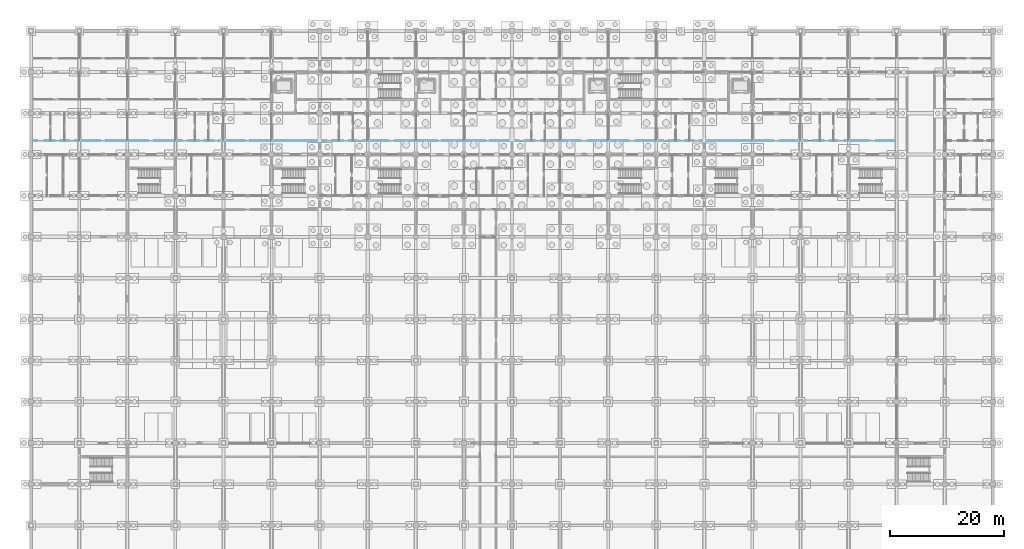
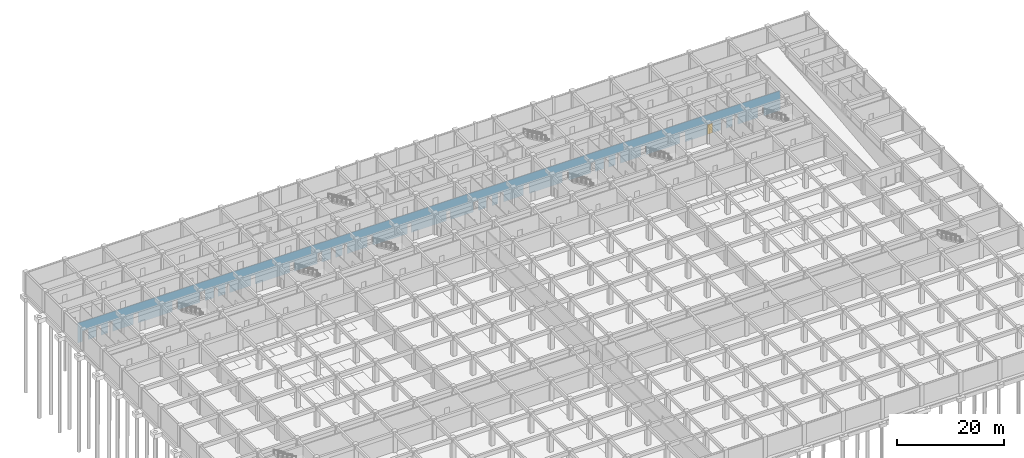
# One storey, part 67 of 85: 1 door, 30 openings, plus 1 element that does not belong to this part.
"""IFC4 building model written with IfcOpenShell, lengths in metres."""

from ifc_helpers import new_model, si_unit, direction, frame, frame_2d, origin, place, context, subcontext, project, spatial, rectangle, extrude, material, layer, layer_set, type_object, element, fill, save


model = new_model("IFC4")

# Units and contexts
model_context = context("Model", 3, precision=1e-05, world=origin(), true_north=direction((0.0, 1.0)))
body_context = subcontext(model_context, "Body", "Model", "MODEL_VIEW")
ifc_project = project(units=[si_unit("LENGTHUNIT", "METRE"), si_unit("AREAUNIT", "SQUARE_METRE"), si_unit("VOLUMEUNIT", "CUBIC_METRE"), si_unit("PLANEANGLEUNIT", "RADIAN"), si_unit("MASSUNIT", "GRAM", prefix="KILO")], contexts=[model_context])

# Site, building, storey
site_placement = place(None, origin())
site = spatial("IfcSite", under=ifc_project, at=site_placement, CompositionType="ELEMENT")
building_placement = place(site_placement, origin())
building = spatial("IfcBuilding", under=site, at=building_placement, Name="Chengyuan Square Courthouse", CompositionType="ELEMENT")
storey_placement = place(building_placement, frame((0.0, 0.0, -10.199951171875)))
storey = spatial("IfcBuildingStorey", under=building, at=storey_placement, Name="B02", CompositionType="ELEMENT", Elevation=-10.199951171875)

# Wall, openings, door
ifc_material_1 = material(Name="Gypsum Plasterboard Acoustic Stud Partition")
ifc_layer = layer(ifc_material_1, 0.10009765625)
ifc_layer_set = layer_set([ifc_layer], Name="Gypsum Plasterboard Acoustic Stud Partition")
wall_type = type_object("IfcWallType", Name="WL-PT6", PredefinedType="STANDARD", material=ifc_layer_set)
wall_placement = place(storey_placement, frame((0.0400390625, 96.0, 0.0), z_axis=(0.0, 0.0, 1.0), x_axis=(1.0, 0.0, 0.0)))
wall = element("IfcWall", 1, at=wall_placement, inside=storey, type_object=wall_type, Name="Interior Wall WL-B02-I062", PredefinedType="STANDARD", context=body_context, shape_type="SweptSolid", body=[
    extrude(rectangle(XDim=151.159912109375, YDim=0.10009765625, at=frame_2d((75.580078125, 0.0))), origin(), (0.0, 0.0, 1.0), 4.47998046875),
])
opening_1_placement = place(wall_placement, frame((1.0400390625, 0.0, 0.0)))
element("IfcOpeningElement", 2, at=opening_1_placement, cuts=wall, Name="Opening DR-148", PredefinedType="OPENING", context=body_context, shape_type="SweptSolid", body=[
    extrude(rectangle(XDim=1.280029296875, YDim=2.35009765625, at=frame_2d((0.64013671875, 1.175048828125))), frame((0.0, 0.06201171875, 0.0), z_axis=(0.0, -1.0, 0.0), x_axis=(1.0, 0.0, 0.0)), (0.0, 0.0, 1.0), 0.1240234375),
])
opening_2_placement = place(wall_placement, frame((4.090087890625, 0.0, 0.0)))
element("IfcOpeningElement", 3, at=opening_2_placement, cuts=wall, Name="Opening DR-149", PredefinedType="OPENING", context=body_context, shape_type="SweptSolid", body=[
    extrude(rectangle(XDim=0.93994140625, YDim=2.300048828125, at=frame_2d((0.469970703125, 1.14990234375))), frame((0.0, 0.06201171875, 0.0), z_axis=(0.0, -1.0, 0.0), x_axis=(1.0, 0.0, 0.0)), (0.0, 0.0, 1.0), 0.1240234375),
])
opening_3_placement = place(wall_placement, frame((6.570068359375, 0.0, 0.0)))
element("IfcOpeningElement", 4, at=opening_3_placement, cuts=wall, Name="Opening DR-150", PredefinedType="OPENING", context=body_context, shape_type="SweptSolid", body=[
    extrude(rectangle(XDim=0.97998046875, YDim=2.35009765625, at=frame_2d((0.489990234375, 1.175048828125))), frame((0.0, 0.06201171875, 0.0), z_axis=(0.0, -1.0, 0.0), x_axis=(1.0, 0.0, 0.0)), (0.0, 0.0, 1.0), 0.1240234375),
])
opening_4_placement = place(wall_placement, frame((12.050048828125, 0.0, 0.0)))
element("IfcOpeningElement", 5, at=opening_4_placement, cuts=wall, Name="Opening DR-151", PredefinedType="OPENING", context=body_context, shape_type="SweptSolid", body=[
    extrude(rectangle(XDim=1.02001953125, YDim=2.39990234375, at=frame_2d((0.510009765625, 1.199951171875))), frame((0.0, 0.06201171875, 0.0), z_axis=(0.0, -1.0, 0.0), x_axis=(1.0, 0.0, 0.0)), (0.0, 0.0, 1.0), 0.1240234375),
])
opening_5_placement = place(wall_placement, frame((20.429931640625, 0.0, 0.0)))
element("IfcOpeningElement", 6, at=opening_5_placement, cuts=wall, Name="Opening DR-152", PredefinedType="OPENING", context=body_context, shape_type="SweptSolid", body=[
    extrude(rectangle(XDim=1.06005859375, YDim=2.39990234375, at=frame_2d((0.530029296875, 1.199951171875))), frame((0.0, 0.06201171875, 0.0), z_axis=(0.0, -1.0, 0.0), x_axis=(1.0, 0.0, 0.0)), (0.0, 0.0, 1.0), 0.1240234375),
])
opening_6_placement = place(wall_placement, frame((26.2900390625, 0.0, 0.0)))
element("IfcOpeningElement", 7, at=opening_6_placement, cuts=wall, Name="Opening DR-153", PredefinedType="OPENING", context=body_context, shape_type="SweptSolid", body=[
    extrude(rectangle(XDim=1.139892578125, YDim=2.39990234375, at=frame_2d((0.56982421875, 1.199951171875))), frame((0.0, 0.06201171875, 0.0), z_axis=(0.0, -1.0, 0.0), x_axis=(1.0, 0.0, 0.0)), (0.0, 0.0, 1.0), 0.1240234375),
])
opening_7_placement = place(wall_placement, frame((29.31005859375, 0.0, 0.0)))
element("IfcOpeningElement", 8, at=opening_7_placement, cuts=wall, Name="Opening DR-154", PredefinedType="OPENING", context=body_context, shape_type="SweptSolid", body=[
    extrude(rectangle(XDim=0.89990234375, YDim=2.14990234375, at=frame_2d((0.449951171875, 1.074951171875))), frame((0.0, 0.06201171875, 0.0), z_axis=(0.0, -1.0, 0.0), x_axis=(1.0, 0.0, 0.0)), (0.0, 0.0, 1.0), 0.1240234375),
])
opening_8_placement = place(wall_placement, frame((31.830078125, 0.0, 0.0)))
element("IfcOpeningElement", 9, at=opening_8_placement, cuts=wall, Name="Opening DR-155", PredefinedType="OPENING", context=body_context, shape_type="SweptSolid", body=[
    extrude(rectangle(XDim=0.860107421875, YDim=2.10009765625, at=frame_2d((0.43017578125, 1.050048828125))), frame((0.0, 0.06201171875, 0.0), z_axis=(0.0, -1.0, 0.0), x_axis=(1.0, 0.0, 0.0)), (0.0, 0.0, 1.0), 0.1240234375),
])
opening_9_placement = place(wall_placement, frame((37.300048828125, 0.0, 0.0)))
element("IfcOpeningElement", 10, at=opening_9_placement, cuts=wall, Name="Opening DR-156", PredefinedType="OPENING", context=body_context, shape_type="SweptSolid", body=[
    extrude(rectangle(XDim=0.919921875, YDim=2.14990234375, at=frame_2d((0.4599609375, 1.074951171875))), frame((0.0, 0.06201171875, 0.0), z_axis=(0.0, -1.0, 0.0), x_axis=(1.0, 0.0, 0.0)), (0.0, 0.0, 1.0), 0.1240234375),
])
opening_10_placement = place(wall_placement, frame((45.679931640625, 0.0, 0.0)))
element("IfcOpeningElement", 11, at=opening_10_placement, cuts=wall, Name="Opening DR-157", PredefinedType="OPENING", context=body_context, shape_type="SweptSolid", body=[
    extrude(rectangle(XDim=0.9599609375, YDim=2.199951171875, at=frame_2d((0.47998046875, 1.10009765625))), frame((0.0, 0.06201171875, 0.0), z_axis=(0.0, -1.0, 0.0), x_axis=(1.0, 0.0, 0.0)), (0.0, 0.0, 1.0), 0.1240234375),
])
opening_11_placement = place(wall_placement, frame((51.570068359375, 0.0, 0.0)))
element("IfcOpeningElement", 12, at=opening_11_placement, cuts=wall, Name="Opening DR-167", PredefinedType="OPENING", context=body_context, shape_type="SweptSolid", body=[
    extrude(rectangle(XDim=0.97998046875, YDim=2.35009765625, at=frame_2d((0.489990234375, 1.175048828125))), frame((0.0, 0.06201171875, 0.0), z_axis=(0.0, -1.0, 0.0), x_axis=(1.0, 0.0, 0.0)), (0.0, 0.0, 1.0), 0.1240234375),
])
opening_12_placement = place(wall_placement, frame((54.449951171875, 0.0, 0.0)))
element("IfcOpeningElement", 13, at=opening_12_placement, cuts=wall, Name="Opening DR-168", PredefinedType="OPENING", context=body_context, shape_type="SweptSolid", body=[
    extrude(rectangle(XDim=1.02001953125, YDim=2.39990234375, at=frame_2d((0.510009765625, 1.199951171875))), frame((0.0, 0.06201171875, 0.0), z_axis=(0.0, -1.0, 0.0), x_axis=(1.0, 0.0, 0.0)), (0.0, 0.0, 1.0), 0.1240234375),
])
opening_13_placement = place(wall_placement, frame((56.929931640625, 0.0, 0.0)))
element("IfcOpeningElement", 14, at=opening_13_placement, cuts=wall, Name="Opening DR-169", PredefinedType="OPENING", context=body_context, shape_type="SweptSolid", body=[
    extrude(rectangle(XDim=1.06005859375, YDim=2.39990234375, at=frame_2d((0.530029296875, 1.199951171875))), frame((0.0, 0.06201171875, 0.0), z_axis=(0.0, -1.0, 0.0), x_axis=(1.0, 0.0, 0.0)), (0.0, 0.0, 1.0), 0.1240234375),
])
opening_14_placement = place(wall_placement, frame((62.389892578125, 0.0, 0.0)))
element("IfcOpeningElement", 15, at=opening_14_placement, cuts=wall, Name="Opening DR-170", PredefinedType="OPENING", context=body_context, shape_type="SweptSolid", body=[
    extrude(rectangle(XDim=1.139892578125, YDim=2.39990234375, at=frame_2d((0.56982421875, 1.199951171875))), frame((0.0, 0.06201171875, 0.0), z_axis=(0.0, -1.0, 0.0), x_axis=(1.0, 0.0, 0.0)), (0.0, 0.0, 1.0), 0.1240234375),
])
opening_15_placement = place(wall_placement, frame((70.909912109375, 0.0, 0.0)))
element("IfcOpeningElement", 16, at=opening_15_placement, cuts=wall, Name="Opening DR-171", PredefinedType="OPENING", context=body_context, shape_type="SweptSolid", body=[
    extrude(rectangle(XDim=0.89990234375, YDim=2.14990234375, at=frame_2d((0.449951171875, 1.074951171875))), frame((0.0, 0.06201171875, 0.0), z_axis=(0.0, -1.0, 0.0), x_axis=(1.0, 0.0, 0.0)), (0.0, 0.0, 1.0), 0.1240234375),
])
opening_16_placement = place(wall_placement, frame((79.330078125, 0.0, 0.0)))
element("IfcOpeningElement", 17, at=opening_16_placement, cuts=wall, Name="Opening DR-172", PredefinedType="OPENING", context=body_context, shape_type="SweptSolid", body=[
    extrude(rectangle(XDim=0.860107421875, YDim=2.10009765625, at=frame_2d((0.43017578125, 1.050048828125))), frame((0.0, 0.06201171875, 0.0), z_axis=(0.0, -1.0, 0.0), x_axis=(1.0, 0.0, 0.0)), (0.0, 0.0, 1.0), 0.1240234375),
])
opening_17_placement = place(wall_placement, frame((85.10009765625, 0.0, 0.0)))
element("IfcOpeningElement", 18, at=opening_17_placement, cuts=wall, Name="Opening DR-178", PredefinedType="OPENING", context=body_context, shape_type="SweptSolid", body=[
    extrude(rectangle(XDim=1.1201171875, YDim=2.25, at=frame_2d((0.56005859375, 1.125))), frame((0.0, 0.06201171875, 0.0), z_axis=(0.0, -1.0, 0.0), x_axis=(1.0, 0.0, 0.0)), (0.0, 0.0, 1.0), 0.1240234375),
])
opening_18_placement = place(wall_placement, frame((87.97998046875, 0.0, 0.0)))
element("IfcOpeningElement", 19, at=opening_18_placement, cuts=wall, Name="Opening DR-179", PredefinedType="OPENING", context=body_context, shape_type="SweptSolid", body=[
    extrude(rectangle(XDim=1.159912109375, YDim=2.300048828125, at=frame_2d((0.580078125, 1.14990234375))), frame((0.0, 0.06201171875, 0.0), z_axis=(0.0, -1.0, 0.0), x_axis=(1.0, 0.0, 0.0)), (0.0, 0.0, 1.0), 0.1240234375),
])
opening_19_placement = place(wall_placement, frame((90.4599609375, 0.0, 0.0)))
element("IfcOpeningElement", 20, at=opening_19_placement, cuts=wall, Name="Opening DR-180", PredefinedType="OPENING", context=body_context, shape_type="SweptSolid", body=[
    extrude(rectangle(XDim=1.199951171875, YDim=2.35009765625, at=frame_2d((0.60009765625, 1.175048828125))), frame((0.0, 0.06201171875, 0.0), z_axis=(0.0, -1.0, 0.0), x_axis=(1.0, 0.0, 0.0)), (0.0, 0.0, 1.0), 0.1240234375),
])
opening_20_placement = place(wall_placement, frame((95.93994140625, 0.0, 0.0)))
element("IfcOpeningElement", 21, at=opening_20_placement, cuts=wall, Name="Opening DR-181", PredefinedType="OPENING", context=body_context, shape_type="SweptSolid", body=[
    extrude(rectangle(XDim=1.239990234375, YDim=2.300048828125, at=frame_2d((0.6201171875, 1.14990234375))), frame((0.0, 0.06201171875, 0.0), z_axis=(0.0, -1.0, 0.0), x_axis=(1.0, 0.0, 0.0)), (0.0, 0.0, 1.0), 0.1240234375),
])
opening_21_placement = place(wall_placement, frame((104.320068359375, 0.0, 0.0)))
element("IfcOpeningElement", 22, at=opening_21_placement, cuts=wall, Name="Opening DR-182", PredefinedType="OPENING", context=body_context, shape_type="SweptSolid", body=[
    extrude(rectangle(XDim=1.280029296875, YDim=2.35009765625, at=frame_2d((0.64013671875, 1.175048828125))), frame((0.0, 0.06201171875, 0.0), z_axis=(0.0, -1.0, 0.0), x_axis=(1.0, 0.0, 0.0)), (0.0, 0.0, 1.0), 0.1240234375),
])
opening_22_placement = place(wall_placement, frame((110.389892578125, 0.0, 0.0)))
element("IfcOpeningElement", 23, at=opening_22_placement, cuts=wall, Name="Opening DR-183", PredefinedType="OPENING", context=body_context, shape_type="SweptSolid", body=[
    extrude(rectangle(XDim=0.93994140625, YDim=2.300048828125, at=frame_2d((0.469970703125, 1.14990234375))), frame((0.0, 0.06201171875, 0.0), z_axis=(0.0, -1.0, 0.0), x_axis=(1.0, 0.0, 0.0)), (0.0, 0.0, 1.0), 0.1240234375),
])
opening_23_placement = place(wall_placement, frame((113.27001953125, 0.0, 0.0)))
element("IfcOpeningElement", 24, at=opening_23_placement, cuts=wall, Name="Opening DR-184", PredefinedType="OPENING", context=body_context, shape_type="SweptSolid", body=[
    extrude(rectangle(XDim=0.97998046875, YDim=2.35009765625, at=frame_2d((0.489990234375, 1.175048828125))), frame((0.0, 0.06201171875, 0.0), z_axis=(0.0, -1.0, 0.0), x_axis=(1.0, 0.0, 0.0)), (0.0, 0.0, 1.0), 0.1240234375),
])
opening_24_placement = place(wall_placement, frame((115.75, 0.0, 0.0)))
element("IfcOpeningElement", 25, at=opening_24_placement, cuts=wall, Name="Opening DR-185", PredefinedType="OPENING", context=body_context, shape_type="SweptSolid", body=[
    extrude(rectangle(XDim=1.02001953125, YDim=2.39990234375, at=frame_2d((0.510009765625, 1.199951171875))), frame((0.0, 0.06201171875, 0.0), z_axis=(0.0, -1.0, 0.0), x_axis=(1.0, 0.0, 0.0)), (0.0, 0.0, 1.0), 0.1240234375),
])
opening_25_placement = place(wall_placement, frame((121.239990234375, 0.0, 0.0)))
element("IfcOpeningElement", 26, at=opening_25_placement, cuts=wall, Name="Opening DR-193", PredefinedType="OPENING", context=body_context, shape_type="SweptSolid", body=[
    extrude(rectangle(XDim=1.0400390625, YDim=2.199951171875, at=frame_2d((0.52001953125, 1.10009765625))), frame((0.0, 0.06201171875, 0.0), z_axis=(0.0, -1.0, 0.0), x_axis=(1.0, 0.0, 0.0)), (0.0, 0.0, 1.0), 0.1240234375),
])
opening_26_placement = place(wall_placement, frame((129.6201171875, 0.0, 0.0)))
element("IfcOpeningElement", 27, at=opening_26_placement, cuts=wall, Name="Opening DR-194", PredefinedType="OPENING", context=body_context, shape_type="SweptSolid", body=[
    extrude(rectangle(XDim=1.080078125, YDim=2.25, at=frame_2d((0.5400390625, 1.125))), frame((0.0, 0.06201171875, 0.0), z_axis=(0.0, -1.0, 0.0), x_axis=(1.0, 0.0, 0.0)), (0.0, 0.0, 1.0), 0.1240234375),
])
opening_27_placement = place(wall_placement, frame((135.5, 0.0, 0.0)))
opening_27 = element("IfcOpeningElement", 28, at=opening_27_placement, cuts=wall, Name="Opening DR-195", PredefinedType="OPENING", context=body_context, shape_type="SweptSolid", body=[
    extrude(rectangle(XDim=1.1201171875, YDim=2.25, at=frame_2d((0.56005859375, 1.125))), frame((0.0, 0.06201171875, 0.0), z_axis=(0.0, -1.0, 0.0), x_axis=(1.0, 0.0, 0.0)), (0.0, 0.0, 1.0), 0.1240234375),
])
opening_28_placement = place(wall_placement, frame((138.3798828125, 0.0, 0.0)))
element("IfcOpeningElement", 29, at=opening_28_placement, cuts=wall, Name="Opening DR-196", PredefinedType="OPENING", context=body_context, shape_type="SweptSolid", body=[
    extrude(rectangle(XDim=1.159912109375, YDim=2.300048828125, at=frame_2d((0.580078125, 1.14990234375))), frame((0.0, 0.06201171875, 0.0), z_axis=(0.0, -1.0, 0.0), x_axis=(1.0, 0.0, 0.0)), (0.0, 0.0, 1.0), 0.1240234375),
])
opening_29_placement = place(wall_placement, frame((140.860107421875, 0.0, 0.0)))
element("IfcOpeningElement", 30, at=opening_29_placement, cuts=wall, Name="Opening DR-197", PredefinedType="OPENING", context=body_context, shape_type="SweptSolid", body=[
    extrude(rectangle(XDim=1.199951171875, YDim=2.35009765625, at=frame_2d((0.60009765625, 1.175048828125))), frame((0.0, 0.06201171875, 0.0), z_axis=(0.0, -1.0, 0.0), x_axis=(1.0, 0.0, 0.0)), (0.0, 0.0, 1.0), 0.1240234375),
])
opening_30_placement = place(wall_placement, frame((146.340087890625, 0.0, 0.0)))
element("IfcOpeningElement", 31, at=opening_30_placement, cuts=wall, Name="Opening DR-198", PredefinedType="OPENING", context=body_context, shape_type="SweptSolid", body=[
    extrude(rectangle(XDim=1.239990234375, YDim=2.300048828125, at=frame_2d((0.6201171875, 1.14990234375))), frame((0.0, 0.06201171875, 0.0), z_axis=(0.0, -1.0, 0.0), x_axis=(1.0, 0.0, 0.0)), (0.0, 0.0, 1.0), 0.1240234375),
])
ifc_material_2 = material(Name="Acoustic Solid-Core Timber Door", Category="wood")
door_type = type_object("IfcDoorType", Name="DT-34", OperationType="NOTDEFINED", PredefinedType="DOOR", material=ifc_material_2)
door_placement = place(opening_27_placement, origin())
door = element("IfcDoor", 32, at=door_placement, inside=storey, type_object=door_type, Name="Interior Door DR-195", OperationType="SINGLE_SWING_RIGHT", OverallHeight=2.25, OverallWidth=1.1201171875, PredefinedType="DOOR", context=body_context, shape_type="SweptSolid", body=[
    extrude(rectangle(XDim=1.1201171875, YDim=2.25, at=frame_2d((0.56005859375, 1.125))), frame((0.0, 0.02490234375, 0.0), z_axis=(0.0, -1.0, 0.0), x_axis=(1.0, 0.0, 0.0)), (0.0, 0.0, 1.0), 0.050048828125),
])
fill(opening_27, door)

save(model, "model.ifc")
